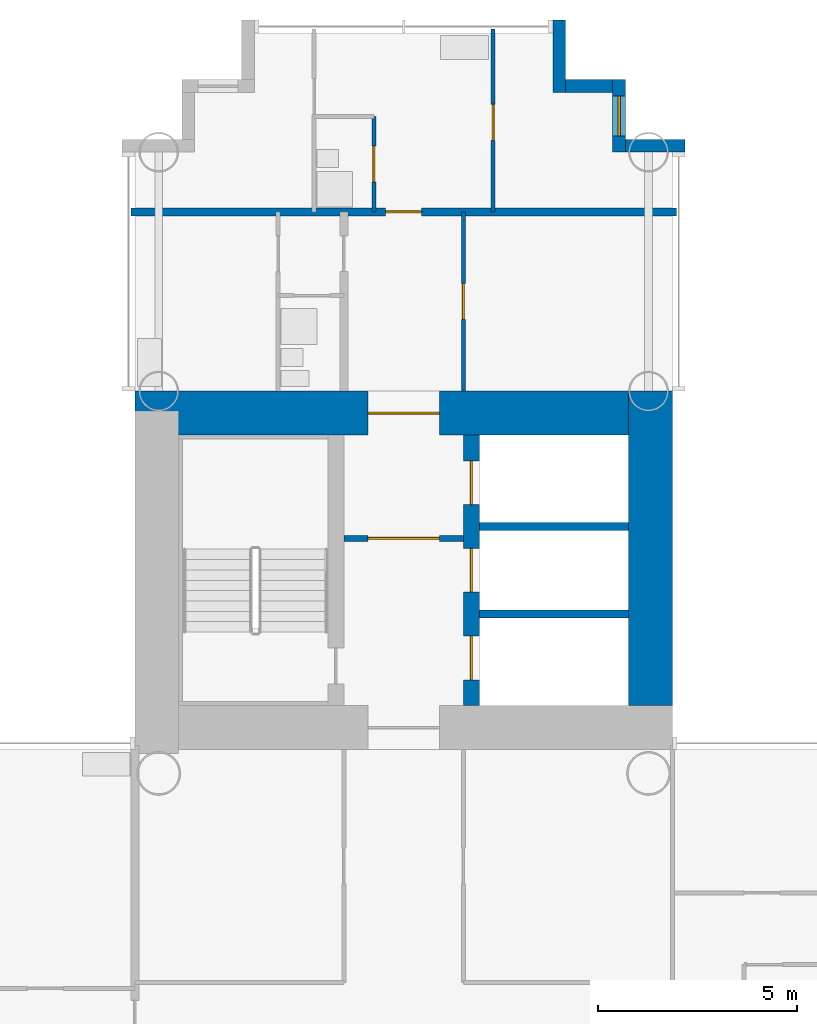
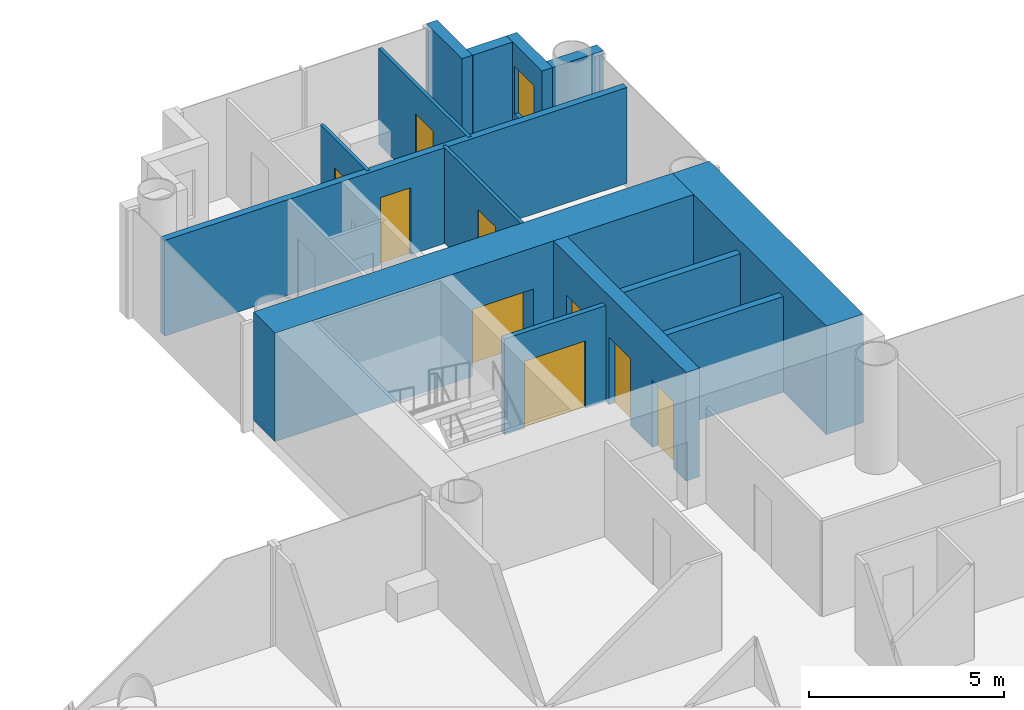
# One storey, part 16 of 22: 14 walls, 9 doors, 1 window, 10 openings.
"""IFC4 building model written with IfcOpenShell, lengths in metres."""

from ifc_helpers import new_model, si_unit, direction, frame, frame_2d, origin, place, context, subcontext, project, spatial, rectangle, extrude, material, layer, layer_set, type_object, element, fill, save


model = new_model("IFC4")

# Units and contexts
model_context = context("Model", 3, precision=1e-05, world=origin(), true_north=direction((0.0, 1.0)))
body_context = subcontext(model_context, "Body", "Model", "MODEL_VIEW")
ifc_project = project(units=[si_unit("LENGTHUNIT", "METRE"), si_unit("AREAUNIT", "SQUARE_METRE"), si_unit("VOLUMEUNIT", "CUBIC_METRE"), si_unit("PLANEANGLEUNIT", "RADIAN"), si_unit("MASSUNIT", "GRAM", prefix="KILO")], contexts=[model_context])

# Site, building, storey
site_placement = place(None, origin())
site = spatial("IfcSite", under=ifc_project, at=site_placement, CompositionType="ELEMENT")
building_placement = place(site_placement, origin())
building = spatial("IfcBuilding", under=site, at=building_placement, Name="Ipe Terrace Towers", CompositionType="ELEMENT")
storey_placement = place(building_placement, frame((0.0, 0.0, 61.89990234375)))
storey = spatial("IfcBuildingStorey", under=building, at=storey_placement, Name="L16", CompositionType="ELEMENT", Elevation=61.89990234375)

# Wall
ifc_material_1 = material(Name="Concrete C40/50 with buff precast cladding", Category="concrete")
ifc_layer_1 = layer(ifc_material_1, 0.320068359375)
ifc_layer_set_1 = layer_set([ifc_layer_1], Name="BUFF CLADDING WALL 320")
wall_type_1 = type_object("IfcWallType", Name="BUFF CLADDING WALL 320", PredefinedType="STANDARD", material=ifc_layer_set_1)
wall_1_placement = place(storey_placement, frame((43.070068359375, 21.909912109375, -0.2998046875), z_axis=(0.0, 0.0, 1.0), x_axis=(-1.0, 0.0, 0.0)))
element("IfcWall", 1, at=wall_1_placement, inside=storey, type_object=wall_type_1, Name="T2-W-L16-21a wall", PredefinedType="STANDARD", context=body_context, shape_type="SweptSolid", body=[
    extrude(rectangle(XDim=1.5, YDim=0.320068359375, at=frame_2d((0.75, 0.0))), origin(), (0.0, 0.0, 1.0), 3.39990234375),
])

# Wall, opening, window
wall_2_placement = place(storey_placement, frame((41.409912109375, 21.75, -0.2998046875), z_axis=(0.0, 0.0, 1.0), x_axis=(0.0, 1.0, 0.0)))
wall_2 = element("IfcWall", 2, at=wall_2_placement, inside=storey, type_object=wall_type_1, Name="T2-W-L16-22a wall", PredefinedType="STANDARD", context=body_context, shape_type="SweptSolid", body=[
    extrude(rectangle(XDim=1.820068359375, YDim=0.320068359375, at=frame_2d((0.91015625, 0.0))), origin(), (0.0, 0.0, 1.0), 3.39990234375),
])
opening_1_placement = place(wall_2_placement, frame((0.409912109375, 0.0, 1.199951171875)))
opening_1 = element("IfcOpeningElement", 3, at=opening_1_placement, cuts=wall_2, Name="Opening T2-W-05-L16-04", PredefinedType="OPENING", context=body_context, shape_type="SweptSolid", body=[
    extrude(rectangle(XDim=1.0, YDim=1.5, at=frame_2d((0.5, 0.75))), frame((0.0, 0.169921875, 0.0), z_axis=(0.0, -1.0, 0.0), x_axis=(1.0, 0.0, 0.0)), (0.0, 0.0, 1.0), 0.340087890625),
])
ifc_material_2 = material(Name="Glass, clear laminated", Category="glass")
window_type = type_object("IfcWindowType", Name="DWELLING WINDOW 1000 x 1500", PartitioningType="SINGLE_PANEL", PredefinedType="WINDOW", material=ifc_material_2)
window_placement = place(opening_1_placement, origin())
window = element("IfcWindow", 4, at=window_placement, inside=storey, type_object=window_type, Name="W-05 window", OverallHeight=1.5, OverallWidth=1.0, PartitioningType="SINGLE_PANEL", PredefinedType="WINDOW", context=body_context, shape_type="SweptSolid", body=[
    extrude(rectangle(XDim=1.0, YDim=1.5, at=frame_2d((0.5, 0.75))), frame((0.0, 0.030029296875, 0.0), z_axis=(0.0, -1.0, 0.0), x_axis=(1.0, 0.0, 0.0)), (0.0, 0.0, 1.0), 0.06005859375),
])
fill(opening_1, window)

# Walls
wall_3_placement = place(storey_placement, frame((41.25, 23.409912109375, -0.2998046875), z_axis=(0.0, 0.0, 1.0), x_axis=(-1.0, 0.0, 0.0)))
element("IfcWall", 5, at=wall_3_placement, inside=storey, type_object=wall_type_1, Name="T2-W-L16-23a wall", PredefinedType="STANDARD", context=body_context, shape_type="SweptSolid", body=[
    extrude(rectangle(XDim=1.179931640625, YDim=0.320068359375, at=frame_2d((0.58984375, 0.0))), origin(), (0.0, 0.0, 1.0), 3.39990234375),
])
wall_4_placement = place(storey_placement, frame((39.909912109375, 23.25, -0.2998046875), z_axis=(0.0, 0.0, 1.0), x_axis=(0.0, 1.0, 0.0)))
element("IfcWall", 6, at=wall_4_placement, inside=storey, type_object=wall_type_1, Name="T2-W-L16-24a wall", PredefinedType="STANDARD", context=body_context, shape_type="SweptSolid", body=[
    extrude(rectangle(XDim=1.820068359375, YDim=0.320068359375, at=frame_2d((0.91015625, 0.0))), origin(), (0.0, 0.0, 1.0), 3.39990234375),
])

# Wall, opening, door
ifc_material_3 = material(Name="Gypsum board partition", Category="plasterboard")
ifc_layer_2 = layer(ifc_material_3, 0.10009765625)
ifc_layer_set_2 = layer_set([ifc_layer_2], Name="Gypsum board partition 100 mm")
wall_type_2 = type_object("IfcWallType", Name="Gypsum board partition 100 mm", PredefinedType="PARTITIONING", material=ifc_layer_set_2)
wall_5_placement = place(storey_placement, frame((38.25, 20.25, 0.0), z_axis=(0.0, 0.0, 1.0), x_axis=(0.0, 1.0, 0.0)))
wall_5 = element("IfcWall", 7, at=wall_5_placement, inside=storey, type_object=wall_type_2, Name="Gypsum board partition T2 L16 W35", PredefinedType="PARTITIONING", context=body_context, shape_type="SweptSolid", body=[
    extrude(rectangle(XDim=4.60009765625, YDim=0.10009765625, at=frame_2d((2.300048828125, 0.0))), origin(), (0.0, 0.0, 1.0), 3.0),
])
opening_2_placement = place(wall_5_placement, frame((1.800048828125, 0.0, 0.0)))
opening_2 = element("IfcOpeningElement", 8, at=opening_2_placement, cuts=wall_5, Name="Opening T2-Z1D-29", PredefinedType="OPENING", context=body_context, shape_type="SweptSolid", body=[
    extrude(rectangle(XDim=0.89990234375, YDim=2.10009765625, at=frame_2d((0.449951171875, 1.050048828125))), frame((0.0, 0.06005859375, 0.0), z_axis=(0.0, -1.0, 0.0), x_axis=(1.0, 0.0, 0.0)), (0.0, 0.0, 1.0), 0.1201171875),
])
ifc_material_4 = material(Name="Timber door leaf", Category="wood")
door_type_1 = type_object("IfcDoorType", Name="Bedroom door 900 x 2100", OperationType="NOTDEFINED", PredefinedType="DOOR", material=ifc_material_4)
door_1_placement = place(opening_2_placement, origin())
door_1 = element("IfcDoor", 9, at=door_1_placement, inside=storey, type_object=door_type_1, Name="Bedroom door T2-Z1D-29", OperationType="SINGLE_SWING_LEFT", OverallHeight=2.10009765625, OverallWidth=0.89990234375, PredefinedType="DOOR", context=body_context, shape_type="SweptSolid", body=[
    extrude(rectangle(XDim=0.89990234375, YDim=2.10009765625, at=frame_2d((0.449951171875, 1.050048828125))), frame((0.0, 0.02490234375, 0.0), z_axis=(0.0, -1.0, 0.0), x_axis=(1.0, 0.0, 0.0)), (0.0, 0.0, 1.0), 0.050048828125),
])
fill(opening_2, door_1)

wall_6_placement = place(storey_placement, frame((37.5, 15.75, 0.0), z_axis=(0.0, 0.0, 1.0), x_axis=(0.0, 1.0, 0.0)))
wall_6 = element("IfcWall", 10, at=wall_6_placement, inside=storey, type_object=wall_type_2, Name="Gypsum board partition T2 L16 W38", PredefinedType="PARTITIONING", context=body_context, shape_type="SweptSolid", body=[
    extrude(rectangle(XDim=4.5, YDim=0.10009765625, at=frame_2d((2.25, 0.0))), origin(), (0.0, 0.0, 1.0), 3.0),
])
opening_3_placement = place(wall_6_placement, frame((1.800048828125, 0.0, 0.0)))
opening_3 = element("IfcOpeningElement", 11, at=opening_3_placement, cuts=wall_6, Name="Opening T2-Z1D-25", PredefinedType="OPENING", context=body_context, shape_type="SweptSolid", body=[
    extrude(rectangle(XDim=0.89990234375, YDim=2.10009765625, at=frame_2d((0.449951171875, 1.050048828125))), frame((0.0, 0.06005859375, 0.0), z_axis=(0.0, -1.0, 0.0), x_axis=(1.0, 0.0, 0.0)), (0.0, 0.0, 1.0), 0.1201171875),
])
ifc_material_5 = material(Name="Timber door leaf", Category="wood")
door_type_2 = type_object("IfcDoorType", Name="Lounge door 900 x 2100", OperationType="NOTDEFINED", PredefinedType="DOOR", material=ifc_material_5)
door_2_placement = place(opening_3_placement, origin())
door_2 = element("IfcDoor", 12, at=door_2_placement, inside=storey, type_object=door_type_2, Name="Lounge door T2-Z1D-25", OperationType="SINGLE_SWING_RIGHT", OverallHeight=2.10009765625, OverallWidth=0.89990234375, PredefinedType="DOOR", context=body_context, shape_type="SweptSolid", body=[
    extrude(rectangle(XDim=0.89990234375, YDim=2.10009765625, at=frame_2d((0.449951171875, 1.050048828125))), frame((0.0, 0.02490234375, 0.0), z_axis=(0.0, -1.0, 0.0), x_axis=(1.0, 0.0, 0.0)), (0.0, 0.0, 1.0), 0.050048828125),
])
fill(opening_3, door_2)

wall_7_placement = place(storey_placement, frame((35.25, 20.25, 0.0), z_axis=(0.0, 0.0, 1.0), x_axis=(0.0, 1.0, 0.0)))
wall_7 = element("IfcWall", 13, at=wall_7_placement, inside=storey, type_object=wall_type_2, Name="Gypsum board partition T2 L16 W41", PredefinedType="PARTITIONING", context=body_context, shape_type="SweptSolid", body=[
    extrude(rectangle(XDim=2.39990234375, YDim=0.10009765625, at=frame_2d((1.199951171875, 0.0))), origin(), (0.0, 0.0, 1.0), 3.0),
])
opening_4_placement = place(wall_7_placement, frame((0.75, 0.0, 0.0)))
opening_4 = element("IfcOpeningElement", 14, at=opening_4_placement, cuts=wall_7, Name="Opening T2-Z1D-26", PredefinedType="OPENING", context=body_context, shape_type="SweptSolid", body=[
    extrude(rectangle(XDim=0.89990234375, YDim=2.10009765625, at=frame_2d((0.449951171875, 1.050048828125))), frame((0.0, 0.06005859375, 0.0), z_axis=(0.0, -1.0, 0.0), x_axis=(1.0, 0.0, 0.0)), (0.0, 0.0, 1.0), 0.1201171875),
])
ifc_material_6 = material(Name="Timber door leaf", Category="wood")
door_type_3 = type_object("IfcDoorType", Name="Bathroom door 900 x 2100", OperationType="NOTDEFINED", PredefinedType="DOOR", material=ifc_material_6)
door_3_placement = place(opening_4_placement, origin())
door_3 = element("IfcDoor", 15, at=door_3_placement, inside=storey, type_object=door_type_3, Name="Bathroom door T2-Z1D-26", OperationType="SINGLE_SWING_LEFT", OverallHeight=2.10009765625, OverallWidth=0.89990234375, PredefinedType="DOOR", context=body_context, shape_type="SweptSolid", body=[
    extrude(rectangle(XDim=0.89990234375, YDim=2.10009765625, at=frame_2d((0.449951171875, 1.050048828125))), frame((0.0, 0.02490234375, 0.0), z_axis=(0.0, -1.0, 0.0), x_axis=(1.0, 0.0, 0.0)), (0.0, 0.0, 1.0), 0.050048828125),
])
fill(opening_4, door_3)

ifc_material_7 = material(Name="Gypsum board partition", Category="plasterboard")
ifc_layer_3 = layer(ifc_material_7, 0.14990234375)
ifc_layer_set_3 = layer_set([ifc_layer_3], Name="Gypsum board partition 150 mm")
wall_type_3 = type_object("IfcWallType", Name="Gypsum board partition 150 mm", PredefinedType="PARTITIONING", material=ifc_layer_set_3)
wall_8_placement = place(storey_placement, frame((37.5, 12.050048828125, 0.0), z_axis=(0.0, 0.0, 1.0), x_axis=(-1.0, 0.0, 0.0)))
wall_8 = element("IfcWall", 16, at=wall_8_placement, inside=storey, type_object=wall_type_3, Name="Gypsum board partition T2 L16 t2c1-lobby-wall", PredefinedType="PARTITIONING", context=body_context, shape_type="SweptSolid", body=[
    extrude(rectangle(XDim=3.0, YDim=0.14990234375, at=frame_2d((1.5, 0.0))), origin(), (0.0, 0.0, 1.0), 3.0),
])
opening_5_placement = place(wall_8_placement, frame((0.60009765625, 0.0, 0.0)))
opening_5 = element("IfcOpeningElement", 17, at=opening_5_placement, cuts=wall_8, Name="Opening T2C1-VD", PredefinedType="OPENING", context=body_context, shape_type="SweptSolid", body=[
    extrude(rectangle(XDim=1.800048828125, YDim=2.10009765625, at=frame_2d((0.89990234375, 1.050048828125))), frame((0.0, 0.0849609375, 0.0), z_axis=(0.0, -1.0, 0.0), x_axis=(1.0, 0.0, 0.0)), (0.0, 0.0, 1.0), 0.169921875),
])
ifc_material_8 = material(Name="Fire-rated timber door leaf", Category="wood")
door_type_4 = type_object("IfcDoorType", Name="Lobby door 1800 x 2100 FD60", OperationType="NOTDEFINED", PredefinedType="DOOR", material=ifc_material_8)
door_4_placement = place(opening_5_placement, origin())
door_4 = element("IfcDoor", 18, at=door_4_placement, inside=storey, type_object=door_type_4, Name="Lobby door T2C1-VD", OperationType="SINGLE_SWING_LEFT", OverallHeight=2.10009765625, OverallWidth=1.800048828125, PredefinedType="DOOR", context=body_context, shape_type="SweptSolid", body=[
    extrude(rectangle(XDim=1.800048828125, YDim=2.10009765625, at=frame_2d((0.89990234375, 1.050048828125))), frame((0.0, 0.02490234375, 0.0), z_axis=(0.0, -1.0, 0.0), x_axis=(1.0, 0.0, 0.0)), (0.0, 0.0, 1.0), 0.050048828125),
])
fill(opening_5, door_4)

# Walls
ifc_material_9 = material(Name="Gypsum board party wall", Category="plasterboard")
ifc_layer_4 = layer(ifc_material_9, 0.199951171875)
ifc_layer_set_4 = layer_set([ifc_layer_4], Name="Gypsum board party wall 200 mm")
wall_type_4 = type_object("IfcWallType", Name="Gypsum board party wall 200 mm", PredefinedType="SOLIDWALL", material=ifc_layer_set_4)
for number, where, z_axis, x_axis, name in (
    (19, (41.64990234375, 10.14990234375, 0.0), (0.0, 0.0, 1.0), (-1.0, 0.0, 0.0), "Gypsum board party wall T2 L16 t2c1-shaft-div1"),
    (20, (41.64990234375, 12.35009765625, 0.0), (0.0, 0.0, 1.0), (-1.0, 0.0, 0.0), "Gypsum board party wall T2 L16 t2c1-shaft-div2"),
):
    element("IfcWall", number, at=place(storey_placement, frame(where, z_axis=z_axis, x_axis=x_axis)), inside=storey, type_object=wall_type_4, Name=name, PredefinedType="SOLIDWALL", context=body_context, shape_type="SweptSolid", body=[
        extrude(rectangle(XDim=3.75, YDim=0.199951171875, at=frame_2d((1.875, 0.0))), origin(), (0.0, 0.0, 1.0), 3.0),
    ])

# Wall, opening, door
wall_9_placement = place(storey_placement, frame((42.85009765625, 20.25, 0.0), z_axis=(0.0, 0.0, 1.0), x_axis=(-1.0, 0.0, 0.0)))
wall_9 = element("IfcWall", 21, at=wall_9_placement, inside=storey, type_object=wall_type_4, Name="Gypsum board party wall T2 L16 W22", PredefinedType="SOLIDWALL", context=body_context, shape_type="SweptSolid", body=[
    extrude(rectangle(XDim=13.7001953125, YDim=0.199951171875, at=frame_2d((6.85009765625, 0.0))), origin(), (0.0, 0.0, 1.0), 3.0),
])
opening_6_placement = place(wall_9_placement, frame((6.39990234375, 0.0, 0.0)))
opening_6 = element("IfcOpeningElement", 22, at=opening_6_placement, cuts=wall_9, Name="Opening T2-Z1D-27", PredefinedType="OPENING", context=body_context, shape_type="SweptSolid", body=[
    extrude(rectangle(XDim=0.89990234375, YDim=2.10009765625, at=frame_2d((0.449951171875, 1.050048828125))), frame((0.0, 0.10986328125, 0.0), z_axis=(0.0, -1.0, 0.0), x_axis=(1.0, 0.0, 0.0)), (0.0, 0.0, 1.0), 0.219970703125),
])
ifc_material_10 = material(Name="Fire-rated timber door leaf", Category="wood")
door_type_5 = type_object("IfcDoorType", Name="Flat entrance door 900 x 2100 FD30S", OperationType="NOTDEFINED", PredefinedType="DOOR", material=ifc_material_10)
door_5_placement = place(opening_6_placement, origin())
door_5 = element("IfcDoor", 23, at=door_5_placement, inside=storey, type_object=door_type_5, Name="Flat entrance door T2-Z1D-27", OperationType="SINGLE_SWING_RIGHT", OverallHeight=2.10009765625, OverallWidth=0.89990234375, PredefinedType="DOOR", context=body_context, shape_type="SweptSolid", body=[
    extrude(rectangle(XDim=0.89990234375, YDim=2.10009765625, at=frame_2d((0.449951171875, 1.050048828125))), frame((0.0, 0.02490234375, 0.0), z_axis=(0.0, -1.0, 0.0), x_axis=(1.0, 0.0, 0.0)), (0.0, 0.0, 1.0), 0.050048828125),
])
fill(opening_6, door_5)

# Wall
ifc_material_11 = material(Name="Concrete C60/75", Category="concrete")
ifc_layer_5 = layer(ifc_material_11, 1.10009765625)
ifc_layer_set_5 = layer_set([ifc_layer_5], Name="RW1100 CORE WALL 1100 C60-75")
wall_type_5 = type_object("IfcWallType", Name="RW1100 CORE WALL 1100 C60-75", PredefinedType="SHEAR", material=ifc_layer_set_5)
wall_10_placement = place(storey_placement, frame((42.199951171875, 7.85009765625, 0.0), z_axis=(0.0, 0.0, 1.0), x_axis=(0.0, 1.0, 0.0)))
element("IfcWall", 24, at=wall_10_placement, inside=storey, type_object=wall_type_5, Name="Core wall T2-C1-Z1-W02", PredefinedType="SHEAR", context=body_context, shape_type="SweptSolid", body=[
    extrude(rectangle(XDim=7.89990234375, YDim=1.10009765625, at=frame_2d((3.949951171875, 0.0))), origin(), (0.0, 0.0, 1.0), 3.400146484375),
])

# Wall, opening, door
wall_11_placement = place(storey_placement, frame((41.64990234375, 15.199951171875, 0.0), z_axis=(0.0, 0.0, 1.0), x_axis=(-1.0, 0.0, 0.0)))
wall_11 = element("IfcWall", 25, at=wall_11_placement, inside=storey, type_object=wall_type_5, Name="Core wall T2-C1-Z1-W03", PredefinedType="SHEAR", context=body_context, shape_type="SweptSolid", body=[
    extrude(rectangle(XDim=12.39990234375, YDim=1.10009765625, at=frame_2d((6.199951171875, 0.0))), origin(), (0.0, 0.0, 1.0), 3.400146484375),
])
opening_7_placement = place(wall_11_placement, frame((4.75, 0.0, 0.0)))
opening_7 = element("IfcOpeningElement", 26, at=opening_7_placement, cuts=wall_11, Name="Opening T2C1-FD", PredefinedType="OPENING", context=body_context, shape_type="SweptSolid", body=[
    extrude(rectangle(XDim=1.800048828125, YDim=2.10009765625, at=frame_2d((0.89990234375, 1.050048828125))), frame((0.0, 0.56005859375, 0.0), z_axis=(0.0, -1.0, 0.0), x_axis=(1.0, 0.0, 0.0)), (0.0, 0.0, 1.0), 1.1201171875),
])
ifc_material_12 = material(Name="Fire-rated timber door leaf", Category="wood")
door_type_6 = type_object("IfcDoorType", Name="Fire door 1800 x 2100 FD30S", OperationType="NOTDEFINED", PredefinedType="DOOR", material=ifc_material_12)
door_6_placement = place(opening_7_placement, origin())
door_6 = element("IfcDoor", 27, at=door_6_placement, inside=storey, type_object=door_type_6, Name="Fire door T2C1-FD", OperationType="SINGLE_SWING_LEFT", OverallHeight=2.10009765625, OverallWidth=1.800048828125, PredefinedType="DOOR", context=body_context, shape_type="SweptSolid", body=[
    extrude(rectangle(XDim=1.800048828125, YDim=2.10009765625, at=frame_2d((0.89990234375, 1.050048828125))), frame((0.0, 0.02490234375, 0.0), z_axis=(0.0, -1.0, 0.0), x_axis=(1.0, 0.0, 0.0)), (0.0, 0.0, 1.0), 0.050048828125),
])
fill(opening_7, door_6)

# Wall, openings, doors
ifc_material_13 = material(Name="Concrete C60/75", Category="concrete")
ifc_layer_6 = layer(ifc_material_13, 0.39990234375)
ifc_layer_set_6 = layer_set([ifc_layer_6], Name="RW400 CORE SPINE WALL 400 C60-75")
wall_type_6 = type_object("IfcWallType", Name="RW400 CORE SPINE WALL 400 C60-75", PredefinedType="SHEAR", material=ifc_layer_set_6)
wall_12_placement = place(storey_placement, frame((37.699951171875, 7.85009765625, 0.0), z_axis=(0.0, 0.0, 1.0), x_axis=(0.0, 1.0, 0.0)))
wall_12 = element("IfcWall", 28, at=wall_12_placement, inside=storey, type_object=wall_type_6, Name="Core spine wall T2-C1-Z1-SW2", PredefinedType="SHEAR", context=body_context, shape_type="SweptSolid", body=[
    extrude(rectangle(XDim=6.7998046875, YDim=0.39990234375, at=frame_2d((3.39990234375, 0.0))), origin(), (0.0, 0.0, 1.0), 3.400146484375),
])
opening_8_placement = place(wall_12_placement, frame((0.64990234375, 0.0, 0.0)))
opening_8 = element("IfcOpeningElement", 29, at=opening_8_placement, cuts=wall_12, Name="Opening T2C1-LD1", PredefinedType="OPENING", context=body_context, shape_type="SweptSolid", body=[
    extrude(rectangle(XDim=1.10009765625, YDim=2.10009765625, at=frame_2d((0.550048828125, 1.050048828125))), frame((0.0, 0.2099609375, 0.0), z_axis=(0.0, -1.0, 0.0), x_axis=(1.0, 0.0, 0.0)), (0.0, 0.0, 1.0), 0.419921875),
])
opening_9_placement = place(wall_12_placement, frame((2.85009765625, 0.0, 0.0)))
opening_9 = element("IfcOpeningElement", 30, at=opening_9_placement, cuts=wall_12, Name="Opening T2C1-LD2", PredefinedType="OPENING", context=body_context, shape_type="SweptSolid", body=[
    extrude(rectangle(XDim=1.10009765625, YDim=2.10009765625, at=frame_2d((0.550048828125, 1.050048828125))), frame((0.0, 0.2099609375, 0.0), z_axis=(0.0, -1.0, 0.0), x_axis=(1.0, 0.0, 0.0)), (0.0, 0.0, 1.0), 0.419921875),
])
opening_10_placement = place(wall_12_placement, frame((5.050048828125, 0.0, 0.0)))
opening_10 = element("IfcOpeningElement", 31, at=opening_10_placement, cuts=wall_12, Name="Opening T2C1-LD3", PredefinedType="OPENING", context=body_context, shape_type="SweptSolid", body=[
    extrude(rectangle(XDim=1.10009765625, YDim=2.10009765625, at=frame_2d((0.550048828125, 1.050048828125))), frame((0.0, 0.2099609375, 0.0), z_axis=(0.0, -1.0, 0.0), x_axis=(1.0, 0.0, 0.0)), (0.0, 0.0, 1.0), 0.419921875),
])
ifc_material_14 = material(Name="Fire-rated timber door leaf", Category="wood")
door_type_7 = type_object("IfcDoorType", Name="Sliding door 1100 x 2100 FD60", OperationType="SLIDING_TO_LEFT", PredefinedType="DOOR", material=ifc_material_14)
door_7_placement = place(opening_8_placement, origin())
door_7 = element("IfcDoor", 32, at=door_7_placement, inside=storey, type_object=door_type_7, Name="Sliding door T2C1-LD1", OperationType="SLIDING_TO_LEFT", OverallHeight=2.10009765625, OverallWidth=1.10009765625, PredefinedType="DOOR", context=body_context, shape_type="SweptSolid", body=[
    extrude(rectangle(XDim=1.10009765625, YDim=2.10009765625, at=frame_2d((0.550048828125, 1.050048828125))), frame((0.0, 0.02490234375, 0.0), z_axis=(0.0, -1.0, 0.0), x_axis=(1.0, 0.0, 0.0)), (0.0, 0.0, 1.0), 0.050048828125),
])
fill(opening_8, door_7)
door_8_placement = place(opening_9_placement, origin())
door_8 = element("IfcDoor", 33, at=door_8_placement, inside=storey, type_object=door_type_7, Name="Sliding door T2C1-LD2", OperationType="SLIDING_TO_LEFT", OverallHeight=2.10009765625, OverallWidth=1.10009765625, PredefinedType="DOOR", context=body_context, shape_type="SweptSolid", body=[
    extrude(rectangle(XDim=1.10009765625, YDim=2.10009765625, at=frame_2d((0.550048828125, 1.050048828125))), frame((0.0, 0.02490234375, 0.0), z_axis=(0.0, -1.0, 0.0), x_axis=(1.0, 0.0, 0.0)), (0.0, 0.0, 1.0), 0.050048828125),
])
fill(opening_9, door_8)
door_9_placement = place(opening_10_placement, origin())
door_9 = element("IfcDoor", 34, at=door_9_placement, inside=storey, type_object=door_type_7, Name="Sliding door T2C1-LD3", OperationType="SLIDING_TO_LEFT", OverallHeight=2.10009765625, OverallWidth=1.10009765625, PredefinedType="DOOR", context=body_context, shape_type="SweptSolid", body=[
    extrude(rectangle(XDim=1.10009765625, YDim=2.10009765625, at=frame_2d((0.550048828125, 1.050048828125))), frame((0.0, 0.02490234375, 0.0), z_axis=(0.0, -1.0, 0.0), x_axis=(1.0, 0.0, 0.0)), (0.0, 0.0, 1.0), 0.050048828125),
])
fill(opening_10, door_9)

save(model, "model.ifc")
